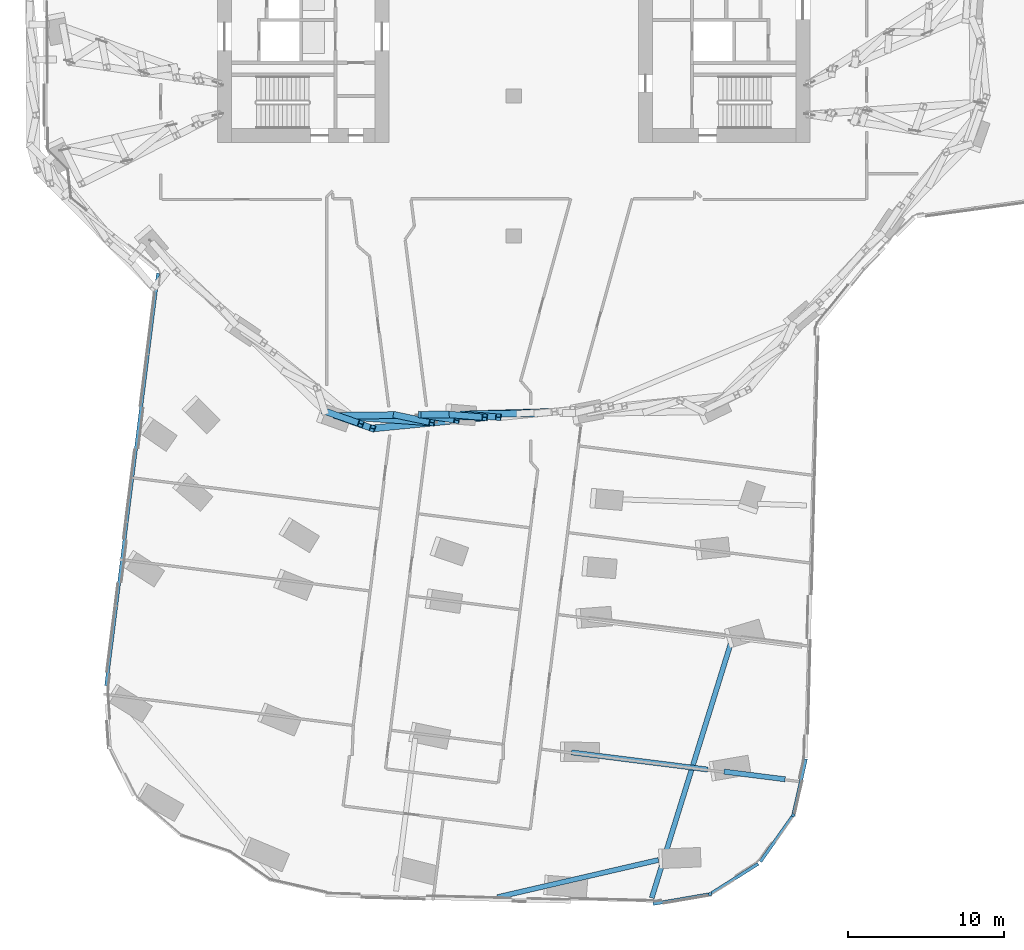
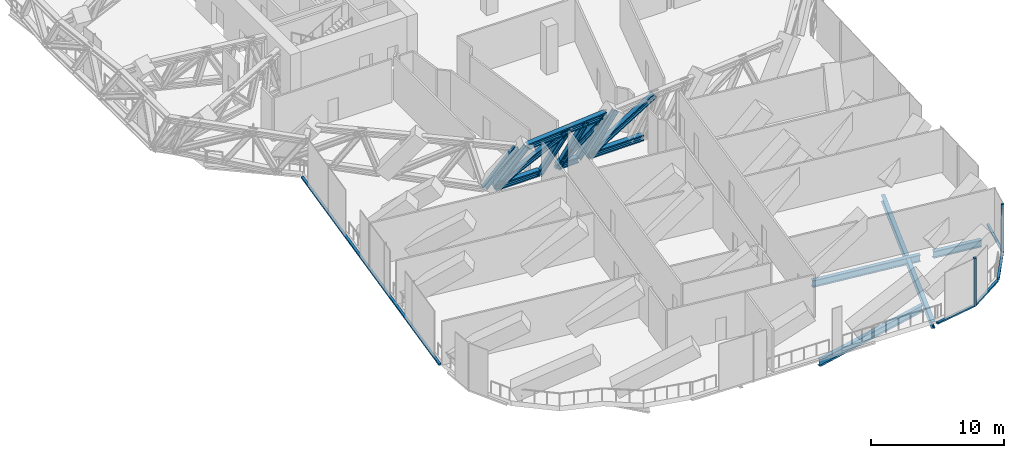
# One storey, part 3 of 27: 20 members, 4 beams, 5 elements without a shape of their own.
"""IFC4 building model written with IfcOpenShell, lengths in metres."""

from ifc_helpers import new_model, si_unit, direction, frame, origin, origin_2d, place, context, subcontext, project, spatial, rectangle, i_section, extrude, material, material_profile, profile_set, type_object, element, aggregate, save


model = new_model("IFC4")

# Units and contexts
model_context = context("Model", 3, precision=1e-05, world=origin(), true_north=direction((0.0, 1.0)))
body_context = subcontext(model_context, "Body", "Model", "MODEL_VIEW")
ifc_project = project(units=[si_unit("LENGTHUNIT", "METRE"), si_unit("AREAUNIT", "SQUARE_METRE"), si_unit("VOLUMEUNIT", "CUBIC_METRE"), si_unit("PLANEANGLEUNIT", "RADIAN"), si_unit("MASSUNIT", "GRAM", prefix="KILO")], contexts=[model_context])

# Site, building, storey
site_placement = place(None, origin())
site = spatial("IfcSite", under=ifc_project, at=site_placement, CompositionType="ELEMENT")
building_placement = place(site_placement, origin())
building = spatial("IfcBuilding", under=site, at=building_placement, Name="Orlundy Tower", CompositionType="ELEMENT")
storey_placement = place(building_placement, frame((0.0, 0.0, 206.10009765625)))
storey = spatial("IfcBuildingStorey", under=building, at=storey_placement, Name="L54", CompositionType="ELEMENT", Elevation=206.10009765625)

# Members
ifc_material_1 = material(Name="Steel ASTM A992 Gr 50", Category="steel")
ifc_material_profile_1 = material_profile(ifc_material_1, i_section(OverallWidth=0.4423828125, OverallDepth=0.531494140625, WebThickness=0.06591796875, FlangeThickness=0.105712890625, at=origin_2d()), Name="W14X605")
ifc_profile_set_1 = profile_set([ifc_material_profile_1], Name="Steel ASTM A992 Gr 50")
member_type_1 = type_object("IfcMemberType", Name="BELT TRUSS chord W14X605", PredefinedType="CHORD", material=ifc_profile_set_1)
member_1_placement = place(storey_placement, frame((-11.37744140625, -29.531982421875, 0.28466796875), z_axis=(0.999926035506, 0.012162381251, 0.0), x_axis=(-0.012162381251, 0.999926035506, 0.0)))
element("IfcMember", 1, at=member_1_placement, inside=storey, type_object=member_type_1, Name="Belt truss bottom chord BT-05", PredefinedType="CHORD", context=body_context, shape_type="SweptSolid", body=[
    extrude(i_section(OverallWidth=0.4423828125, OverallDepth=0.531494140625, WebThickness=0.06591796875, FlangeThickness=0.105712890625, at=origin_2d()), origin(), (0.0, 0.0, 1.0), 3.833984375),
])
member_2_placement = place(storey_placement, frame((-5.94384765625, -29.4658203125, 0.28466796875), z_axis=(0.999926128983, 0.012154693626, 0.0), x_axis=(-0.012154693626, 0.999926128983, 0.0)))
element("IfcMember", 2, at=member_2_placement, inside=storey, type_object=member_type_1, Name="Belt truss bottom chord BT-052", PredefinedType="CHORD", context=body_context, shape_type="SweptSolid", body=[
    extrude(i_section(OverallWidth=0.4423828125, OverallDepth=0.531494140625, WebThickness=0.06591796875, FlangeThickness=0.105712890625, at=origin_2d()), origin(), (0.0, 0.0, 1.0), 1.807861328125),
])
member_3_placement = place(storey_placement, frame((-9.0625, -30.344482421875, 3.715087890625), z_axis=(0.995135508289, 0.09851558325, 0.0), x_axis=(-0.09851558325, 0.995135508289, 0.0)))
element("IfcMember", 3, at=member_3_placement, inside=storey, type_object=member_type_1, Name="Belt truss top chord BT-05", PredefinedType="CHORD", context=body_context, shape_type="SweptSolid", body=[
    extrude(i_section(OverallWidth=0.4423828125, OverallDepth=0.531494140625, WebThickness=0.06591796875, FlangeThickness=0.105712890625, at=origin_2d()), origin(), (0.0, 0.0, 1.0), 7.2412109375),
])
member_4_placement = place(storey_placement, frame((-3.26123046875, -29.43310546875, 0.28466796875), z_axis=(0.999925859772, 0.012176820569, 0.0), x_axis=(-0.012176820569, 0.999925859772, 0.0)))
element("IfcMember", 4, at=member_4_placement, inside=storey, type_object=member_type_1, Name="Belt truss bottom chord BT-06", PredefinedType="CHORD", context=body_context, shape_type="SweptSolid", body=[
    extrude(i_section(OverallWidth=0.4423828125, OverallDepth=0.531494140625, WebThickness=0.06591796875, FlangeThickness=0.105712890625, at=origin_2d()), origin(), (0.0, 0.0, 1.0), 4.791748046875),
])
ifc_material_2 = material(Name="Steel ASTM A992 Gr 50", Category="steel")
ifc_material_profile_2 = material_profile(ifc_material_2, i_section(OverallWidth=0.42431640625, OverallDepth=0.47412109375, WebThickness=0.0478515625, FlangeThickness=0.0771484375, at=origin_2d()), Name="W14X426")
ifc_profile_set_2 = profile_set([ifc_material_profile_2], Name="Steel ASTM A992 Gr 50")
member_type_2 = type_object("IfcMemberType", Name="BELT TRUSS diagonal W14X426", PredefinedType="BRACE", material=ifc_profile_set_2)
member_5_placement = place(storey_placement, frame((-11.37744140625, -29.531982421875, 0.28466796875), z_axis=(0.87098778818, -0.061779810058, 0.487404891143), x_axis=(0.070752980131, 0.997493867551, 0.0)))
element("IfcMember", 5, at=member_5_placement, inside=storey, type_object=member_type_2, Name="Belt truss diagonal BT-05-0", PredefinedType="BRACE", context=body_context, shape_type="SweptSolid", body=[
    extrude(i_section(OverallWidth=0.42431640625, OverallDepth=0.47412109375, WebThickness=0.0478515625, FlangeThickness=0.0771484375, at=origin_2d()), origin(), (0.0, 0.0, 1.0), 7.0380859375),
])
member_6_placement = place(storey_placement, frame((-5.94384765625, -29.4658203125, 0.28466796875), z_axis=(0.765614318643, -0.030959317508, 0.64255446131), x_axis=(0.04040420339, 0.99918341677, 0.0)))
element("IfcMember", 6, at=member_6_placement, inside=storey, type_object=member_type_2, Name="Belt truss diagonal BT-05-2", PredefinedType="BRACE", context=body_context, shape_type="SweptSolid", body=[
    extrude(i_section(OverallWidth=0.42431640625, OverallDepth=0.47412109375, WebThickness=0.0478515625, FlangeThickness=0.0771484375, at=origin_2d()), origin(), (0.0, 0.0, 1.0), 5.338623046875),
])
member_7_placement = place(storey_placement, frame((-3.26123046875, -29.43310546875, 0.28466796875), z_axis=(0.863581312297, 0.024837594913, 0.503597469146), x_axis=(-0.028749265471, 0.99958665444, 0.0)))
element("IfcMember", 7, at=member_7_placement, inside=storey, type_object=member_type_2, Name="Belt truss diagonal BT-06-0", PredefinedType="BRACE", context=body_context, shape_type="SweptSolid", body=[
    extrude(i_section(OverallWidth=0.42431640625, OverallDepth=0.47412109375, WebThickness=0.0478515625, FlangeThickness=0.0771484375, at=origin_2d()), origin(), (0.0, 0.0, 1.0), 6.811767578125),
])
ifc_material_3 = material(Name="Steel ASTM A992 Gr 50", Category="steel")
ifc_material_profile_3 = material_profile(ifc_material_3, i_section(OverallWidth=0.412109375, OverallDepth=0.434814453125, WebThickness=0.035888671875, FlangeThickness=0.057373046875, at=origin_2d()), Name="W14X311")
ifc_profile_set_3 = profile_set([ifc_material_profile_3], Name="Steel ASTM A992 Gr 50")
member_type_3 = type_object("IfcMemberType", Name="BELT TRUSS post W14X311", PredefinedType="POST", material=ifc_profile_set_3)
member_8_placement = place(storey_placement, frame((-12.1279296875, -29.23193359375, 0.28466796875), z_axis=(0.548861567269, -0.192602302954, 0.81342198942), x_axis=(0.331117251038, 0.9435896174, 0.0)))
element("IfcMember", 8, at=member_8_placement, inside=storey, type_object=member_type_3, Name="Belt truss post BT-04-2", PredefinedType="POST", context=body_context, shape_type="SweptSolid", body=[
    extrude(i_section(OverallWidth=0.412109375, OverallDepth=0.434814453125, WebThickness=0.035888671875, FlangeThickness=0.057373046875, at=origin_2d()), origin(), (0.0, 0.0, 1.0), 4.21728515625),
])
member_9_placement = place(storey_placement, frame((-11.37744140625, -29.531982421875, 0.28466796875), z_axis=(0.548895895893, -0.192651923806, 0.813387073739), x_axis=(0.331174760449, 0.943569434669, 0.0)))
element("IfcMember", 9, at=member_9_placement, inside=storey, type_object=member_type_3, Name="Belt truss post BT-05-0", PredefinedType="POST", context=body_context, shape_type="SweptSolid", body=[
    extrude(i_section(OverallWidth=0.412109375, OverallDepth=0.434814453125, WebThickness=0.035888671875, FlangeThickness=0.057373046875, at=origin_2d()), origin(), (0.0, 0.0, 1.0), 4.217529296875),
])
member_10_placement = place(storey_placement, frame((-7.543701171875, -29.4853515625, 0.018798828125), z_axis=(0.524517080427, -0.109966795939, 0.844268402898), x_axis=(0.205192337907, 0.978721668537, 0.0)))
element("IfcMember", 10, at=member_10_placement, inside=storey, type_object=member_type_3, Name="Belt truss post BT-05-1", PredefinedType="POST", context=body_context, shape_type="SweptSolid", body=[
    extrude(i_section(OverallWidth=0.412109375, OverallDepth=0.434814453125, WebThickness=0.035888671875, FlangeThickness=0.057373046875, at=origin_2d()), origin(), (0.0, 0.0, 1.0), 4.378173828125),
])
member_11_placement = place(storey_placement, frame((-5.94384765625, -29.4658203125, 0.018798828125), z_axis=(0.524787052726, -0.078712459583, 0.847586513577), x_axis=(0.148330135273, 0.988937900462, 0.0)))
element("IfcMember", 11, at=member_11_placement, inside=storey, type_object=member_type_3, Name="Belt truss post BT-05-2", PredefinedType="POST", context=body_context, shape_type="SweptSolid", body=[
    extrude(i_section(OverallWidth=0.412109375, OverallDepth=0.434814453125, WebThickness=0.035888671875, FlangeThickness=0.057373046875, at=origin_2d()), origin(), (0.0, 0.0, 1.0), 4.36083984375),
])
for number, where, z_axis, x_axis, name in (
    (12, (-4.13623046875, -29.44384765625, 0.28466796875), (0.55292479273, -0.045415861643, 0.831992531875), (0.081861823633, 0.996643688502, 0.0), "Belt truss post BT-05-3"),
    (13, (-3.26123046875, -29.43310546875, 0.28466796875), (0.552883681115, -0.04541734855, 0.832019771163), (0.081870532335, 0.996642973153, 0.0), "Belt truss post BT-06-0"),
):
    element("IfcMember", number, at=place(storey_placement, frame(where, z_axis=z_axis, x_axis=x_axis)), inside=storey, type_object=member_type_3, Name=name, PredefinedType="POST", context=body_context, shape_type="SweptSolid", body=[
        extrude(i_section(OverallWidth=0.412109375, OverallDepth=0.434814453125, WebThickness=0.035888671875, FlangeThickness=0.057373046875, at=origin_2d()), origin(), (0.0, 0.0, 1.0), 4.123046875),
    ])

# Beams
ifc_material_4 = material(Name="Steel ASTM A992 Gr 50", Category="steel")
ifc_material_profile_4 = material_profile(ifc_material_4, i_section(OverallWidth=0.32373046875, OverallDepth=0.611083984375, WebThickness=0.0126953125, FlangeThickness=0.01904296875, at=origin_2d()), Name="W24X104")
ifc_profile_set_4 = profile_set([ifc_material_profile_4], Name="Steel ASTM A992 Gr 50")
beam_type_1 = type_object("IfcBeamType", Name="CANTILEVER GIRDER beam W24X104", PredefinedType="BEAM", material=ifc_profile_set_4)
beam_1_placement = place(storey_placement, frame((-1.047607421875, -60.41796875, -0.755615234375), z_axis=(0.974333756106, 0.225108266646, 0.0), x_axis=(-0.225108266646, 0.974333756106, 0.0)))
element("IfcBeam", 14, at=beam_1_placement, inside=storey, type_object=beam_type_1, Name="Cantilever girder C-B4-5 L54", PredefinedType="BEAM", context=body_context, shape_type="SweptSolid", body=[
    extrude(i_section(OverallWidth=0.32373046875, OverallDepth=0.611083984375, WebThickness=0.0126953125, FlangeThickness=0.01904296875, at=origin_2d()), origin(), (0.0, 0.0, 1.0), 10.60791015625),
])
beam_2_placement = place(storey_placement, frame((8.8583984375, -60.463623046875, -0.755615234375), z_axis=(0.296491825867, 0.955035390545, 0.0), x_axis=(-0.955035390545, 0.296491825867, 0.0)))
element("IfcBeam", 15, at=beam_2_placement, inside=storey, type_object=beam_type_1, Name="Cantilever girder C-B5-5 L54", PredefinedType="BEAM", context=body_context, shape_type="SweptSolid", body=[
    extrude(i_section(OverallWidth=0.32373046875, OverallDepth=0.611083984375, WebThickness=0.0126953125, FlangeThickness=0.01904296875, at=origin_2d()), origin(), (0.0, 0.0, 1.0), 17.16357421875),
])
ifc_material_5 = material(Name="Steel ASTM A992 Gr 50", Category="steel")
ifc_material_profile_5 = material_profile(ifc_material_5, i_section(OverallWidth=0.3291015625, OverallDepth=0.635009765625, WebThickness=0.017822265625, FlangeThickness=0.031005859375, at=origin_2d()), Name="W24X162")
ifc_profile_set_5 = profile_set([ifc_material_profile_5], Name="Steel ASTM A992 Gr 50")
beam_type_2 = type_object("IfcBeamType", Name="CANTILEVER GIRDER beam W24X162", PredefinedType="BEAM", material=ifc_profile_set_5)
beam_3_placement = place(storey_placement, frame((17.412353515625, -52.852294921875, -0.767578125), z_axis=(-0.992183454528, 0.124787790113, 0.0), x_axis=(-0.124787790113, -0.992183454528, 0.0)))
element("IfcBeam", 16, at=beam_3_placement, inside=storey, type_object=beam_type_2, Name="Cantilever girder C-B5-3 L54", PredefinedType="BEAM", context=body_context, shape_type="SweptSolid", body=[
    extrude(i_section(OverallWidth=0.3291015625, OverallDepth=0.635009765625, WebThickness=0.017822265625, FlangeThickness=0.031005859375, at=origin_2d()), origin(), (0.0, 0.0, 1.0), 3.949951171875),
])
beam_4_placement = place(storey_placement, frame((12.452880859375, -52.228515625, -0.767578125), z_axis=(-0.992182958319, 0.124791735389, 0.0), x_axis=(-0.124791735389, -0.992182958319, 0.0)))
element("IfcBeam", 17, at=beam_4_placement, inside=storey, type_object=beam_type_2, Name="Back-span girder C-B5-3 L54", PredefinedType="BEAM", context=body_context, shape_type="SweptSolid", body=[
    extrude(i_section(OverallWidth=0.3291015625, OverallDepth=0.635009765625, WebThickness=0.017822265625, FlangeThickness=0.031005859375, at=origin_2d()), origin(), (0.0, 0.0, 1.0), 8.8115234375),
])

# Curtain wall, member
ifc_material_6 = material(Name="Aluminium bronze anodised", Category="aluminium")
curtain_wall_type = type_object("IfcCurtainWallType", Name="CW4 wall", PredefinedType="NOTDEFINED", material=ifc_material_6)
curtain_wall_1_placement = place(storey_placement, origin())
curtain_wall_1 = element("IfcCurtainWall", 18, at=curtain_wall_1_placement, inside=storey, type_object=curtain_wall_type, Name="CW4 run 034", PredefinedType="NOTDEFINED")
ifc_material_7 = material(Name="Aluminium bronze anodised", Category="aluminium")
ifc_material_profile_6 = material_profile(ifc_material_7, rectangle(XDim=0.199951171875, YDim=0.199951171875, at=origin_2d()), Name="CW4 corner post 200x200")
ifc_profile_set_6 = profile_set([ifc_material_profile_6], Name="Aluminium bronze anodised")
member_type_4 = type_object("IfcMemberType", Name="CW4 corner post 200x200", PredefinedType="MULLION", material=ifc_profile_set_6)
member_12_placement = place(storey_placement, frame((17.93310546875, -55.162353515625, -0.4501953125), z_axis=(0.0, 0.0, 1.0), x_axis=(0.816676153518, -0.577096231381, 0.0)))
member_12 = element("IfcMember", 19, at=member_12_placement, type_object=member_type_4, Name="CW4 mullion 52", PredefinedType="MULLION", context=body_context, shape_type="SweptSolid", body=[
    extrude(rectangle(XDim=0.199951171875, YDim=0.199951171875, at=origin_2d()), origin(), (0.0, 0.0, 1.0), 4.4501953125),
])

curtain_wall_2_placement = place(storey_placement, origin())
curtain_wall_2 = element("IfcCurtainWall", 20, at=curtain_wall_2_placement, inside=storey, type_object=curtain_wall_type, Name="CW4 run 036", PredefinedType="NOTDEFINED")
member_13_placement = place(storey_placement, frame((12.6025390625, -60.22119140625, -0.4501953125), z_axis=(0.0, 0.0, 1.0), x_axis=(0.169428066085, -0.985542556373, 0.0)))
member_13 = element("IfcMember", 21, at=member_13_placement, type_object=member_type_4, Name="CW4 mullion 54", PredefinedType="MULLION", context=body_context, shape_type="SweptSolid", body=[
    extrude(rectangle(XDim=0.199951171875, YDim=0.199951171875, at=origin_2d()), origin(), (0.0, 0.0, 1.0), 4.4501953125),
])

curtain_wall_3_placement = place(storey_placement, origin())
curtain_wall_3 = element("IfcCurtainWall", 22, at=curtain_wall_3_placement, inside=storey, type_object=curtain_wall_type, Name="CW4 run 033", PredefinedType="NOTDEFINED")
ifc_material_8 = material(Name="Aluminium bronze anodised", Category="aluminium")
ifc_material_profile_7 = material_profile(ifc_material_8, rectangle(XDim=0.199951171875, YDim=0.14990234375, at=origin_2d()), Name="CW4 transom 200x150")
ifc_profile_set_7 = profile_set([ifc_material_profile_7], Name="Aluminium bronze anodised")
member_type_5 = type_object("IfcMemberType", Name="CW4 transom 200x150", PredefinedType="USERDEFINED", material=ifc_profile_set_7)
member_14_placement = place(storey_placement, frame((18.7509765625, -51.5478515625, -0.375), z_axis=(-0.220679497999, -0.975346379069, 0.0), x_axis=(0.975346379069, -0.220679497999, 0.0)))
member_14 = element("IfcMember", 23, at=member_14_placement, type_object=member_type_5, Name="CW4 transom", ObjectType="TRANSOM", PredefinedType="USERDEFINED", context=body_context, shape_type="SweptSolid", body=[
    extrude(rectangle(XDim=0.199951171875, YDim=0.14990234375, at=origin_2d()), origin(), (0.0, 0.0, 1.0), 3.59765625),
])
aggregate(curtain_wall_3, [member_14])

# Member
member_15_placement = place(storey_placement, frame((17.87548828125, -55.244140625, -0.375), z_axis=(-0.577092217399, -0.816678989945, 0.0), x_axis=(0.816678989945, -0.577092217399, 0.0)))
member_15 = element("IfcMember", 24, at=member_15_placement, type_object=member_type_5, Name="CW4 transom", ObjectType="TRANSOM", PredefinedType="USERDEFINED", context=body_context, shape_type="SweptSolid", body=[
    extrude(rectangle(XDim=0.199951171875, YDim=0.14990234375, at=origin_2d()), origin(), (0.0, 0.0, 1.0), 3.5380859375),
])

aggregate(curtain_wall_1, [member_12, member_15])

# Curtain wall, member
curtain_wall_4_placement = place(storey_placement, origin())
curtain_wall_4 = element("IfcCurtainWall", 25, at=curtain_wall_4_placement, inside=storey, type_object=curtain_wall_type, Name="CW4 run 035", PredefinedType="NOTDEFINED")
member_16_placement = place(storey_placement, frame((15.6865234375, -58.275390625, -0.375), z_axis=(-0.845746226636, -0.533585344748, 0.0), x_axis=(0.533585344748, -0.845746226636, 0.0)))
member_16 = element("IfcMember", 26, at=member_16_placement, type_object=member_type_5, Name="CW4 transom", ObjectType="TRANSOM", PredefinedType="USERDEFINED", context=body_context, shape_type="SweptSolid", body=[
    extrude(rectangle(XDim=0.199951171875, YDim=0.14990234375, at=origin_2d()), origin(), (0.0, 0.0, 1.0), 3.538330078125),
])
aggregate(curtain_wall_4, [member_16])

# Member
member_17_placement = place(storey_placement, frame((12.50390625, -60.238037109375, -0.375), z_axis=(-0.985537409507, -0.169458002061, 0.0), x_axis=(0.169458002061, -0.985537409507, 0.0)))
member_17 = element("IfcMember", 27, at=member_17_placement, type_object=member_type_5, Name="CW4 transom", ObjectType="TRANSOM", PredefinedType="USERDEFINED", context=body_context, shape_type="SweptSolid", body=[
    extrude(rectangle(XDim=0.199951171875, YDim=0.14990234375, at=origin_2d()), origin(), (0.0, 0.0, 1.0), 3.606201171875),
])

aggregate(curtain_wall_2, [member_13, member_17])

# Curtain wall, member
curtain_wall_5_placement = place(storey_placement, origin())
curtain_wall_5 = element("IfcCurtainWall", 28, at=curtain_wall_5_placement, inside=storey, type_object=curtain_wall_type, Name="CW4 run 044", PredefinedType="NOTDEFINED")
member_18_placement = place(storey_placement, frame((-26.150146484375, -46.85400390625, -0.375), z_axis=(0.124773426807, 0.992185260908, 0.0), x_axis=(-0.992185260908, 0.124773426807, 0.0)))
member_18 = element("IfcMember", 29, at=member_18_placement, type_object=member_type_5, Name="CW4 transom", ObjectType="TRANSOM", PredefinedType="USERDEFINED", context=body_context, shape_type="SweptSolid", body=[
    extrude(rectangle(XDim=0.199951171875, YDim=0.14990234375, at=origin_2d()), origin(), (0.0, 0.0, 1.0), 26.68310546875),
])
aggregate(curtain_wall_5, [member_18])

save(model, "model.ifc")
